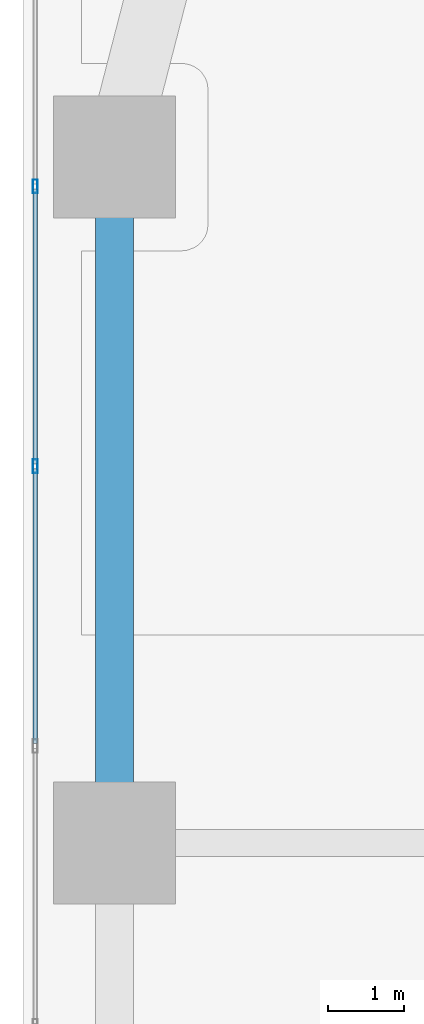
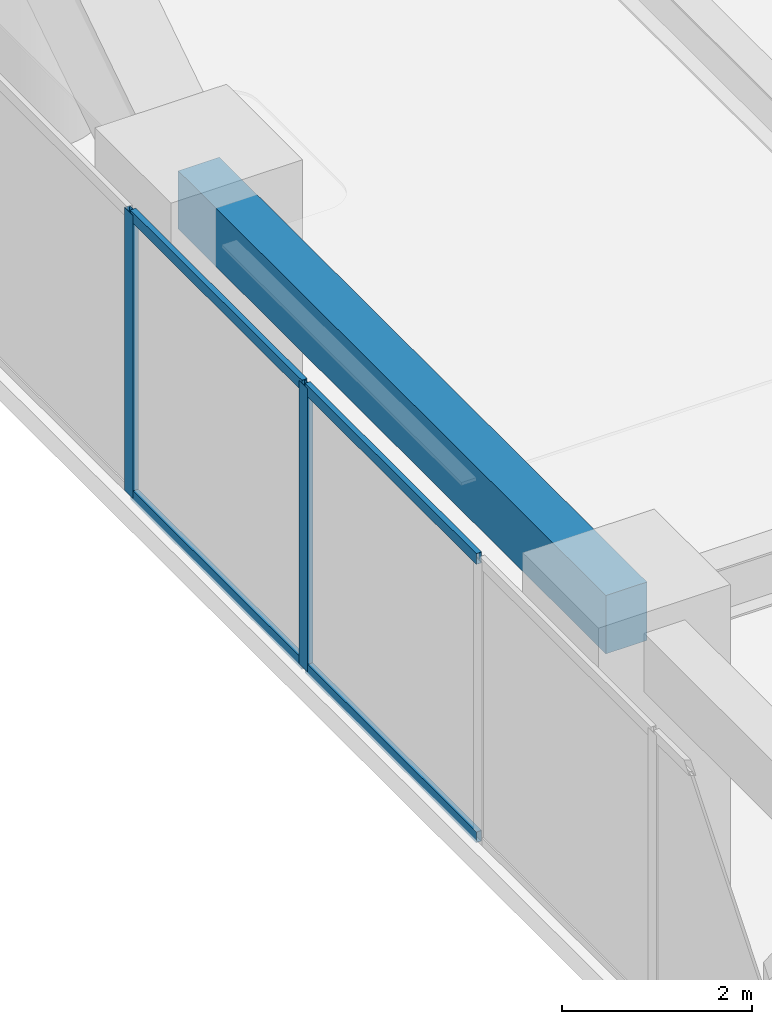
# One storey, part 12 of 28: 6 members, 1 beam, 1 element without a shape of its own.
"""IFC4 building model written with IfcOpenShell, lengths in metres."""

from ifc_helpers import new_model, si_unit, direction, frame, origin, origin_2d, place, context, subcontext, project, spatial, rectangle, hollow_rectangle, extrude, material, layer, layer_set, material_profile, profile_set, type_object, element, aggregate, save


model = new_model("IFC4")

# Units and contexts
model_context = context("Model", 3, precision=1e-05, world=origin(), true_north=direction((0.0, 1.0)))
body_context = subcontext(model_context, "Body", "Model", "MODEL_VIEW")
ifc_project = project(units=[si_unit("LENGTHUNIT", "METRE"), si_unit("AREAUNIT", "SQUARE_METRE"), si_unit("VOLUMEUNIT", "CUBIC_METRE"), si_unit("PLANEANGLEUNIT", "RADIAN"), si_unit("MASSUNIT", "GRAM", prefix="KILO")], contexts=[model_context])

# Site, building, storey
site_placement = place(None, origin())
site = spatial("IfcSite", under=ifc_project, at=site_placement, CompositionType="ELEMENT")
building_placement = place(site_placement, origin())
building = spatial("IfcBuilding", under=site, at=building_placement, Name="Kiyonajd Concourse Tower", CompositionType="ELEMENT")
storey_placement = place(building_placement, frame((0.0, 0.0, 41.10009765625)))
storey = spatial("IfcBuildingStorey", under=building, at=storey_placement, Name="L11", CompositionType="ELEMENT", Elevation=41.10009765625)

# Beam
ifc_material_1 = material(Name="Precast concrete C50/60", Category="concrete")
ifc_material_profile_1 = material_profile(ifc_material_1, rectangle(XDim=0.5, YDim=0.75, at=origin_2d()), Name="RCBM-500x750")
ifc_profile_set_1 = profile_set([ifc_material_profile_1], Name="Precast concrete C50/60")
beam_type = type_object("IfcBeamType", Name="BM-SPAN-RC", PredefinedType="SPANDREL", material=ifc_profile_set_1)
beam_placement = place(storey_placement, frame((19.199951171875, 53.39990234375, 3.264892578125), z_axis=(0.0, -1.0, 0.0), x_axis=(1.0, 0.0, 0.0)))
element("IfcBeam", 1, at=beam_placement, inside=storey, type_object=beam_type, Name="L11 Perimeter Bundled Tube Spandrel", PredefinedType="SPANDREL", context=body_context, shape_type="SweptSolid", body=[
    extrude(rectangle(XDim=0.5, YDim=0.75, at=origin_2d()), origin(), (0.0, 0.0, 1.0), 9.0),
])

# Curtain wall, members
ifc_material_2 = material(Name="Thermally Broken Anodised Aluminium", Category="aluminium")
ifc_layer = layer(ifc_material_2, 0.179931640625)
ifc_layer_set = layer_set([ifc_layer], Name="Thermally Broken Anodised Aluminium")
curtain_wall_type = type_object("IfcCurtainWallType", Name="CW-SYS-02", PredefinedType="NOTDEFINED", material=ifc_layer_set)
curtain_wall_placement = place(storey_placement, origin())
curtain_wall = element("IfcCurtainWall", 2, at=curtain_wall_placement, inside=storey, type_object=curtain_wall_type, Name="L11 Unitised Curtain Wall CW2", PredefinedType="NOTDEFINED")
ifc_material_profile_2 = material_profile(ifc_material_2, hollow_rectangle(XDim=0.06494140625, YDim=0.179931640625, WallThickness=0.00390625, at=origin_2d()), Name="MULL-65x180")
ifc_profile_set_2 = profile_set([ifc_material_profile_2], Name="Thermally Broken Anodised Aluminium")
member_type_1 = type_object("IfcMemberType", Name="MB-CW-MULL1", PredefinedType="MULLION", material=ifc_profile_set_2)
member_1_placement = place(storey_placement, frame((18.159912109375, 49.342529296875, 0.0), z_axis=(0.0, 0.0, 1.0), x_axis=(-1.0, 0.0, 0.0)))
member_1 = element("IfcMember", 3, at=member_1_placement, type_object=member_type_1, Name="CW2 mullion 5", PredefinedType="MULLION", context=body_context, shape_type="SweptSolid", body=[
    extrude(hollow_rectangle(XDim=0.06494140625, YDim=0.179931640625, WallThickness=0.00390625, at=origin_2d()), origin(), (0.0, 0.0, 1.0), 3.639892578125),
])
member_2_placement = place(storey_placement, frame((18.159912109375, 53.015869140625, 0.0), z_axis=(0.0, 0.0, 1.0), x_axis=(-1.0, 0.0, 0.0)))
member_2 = element("IfcMember", 4, at=member_2_placement, type_object=member_type_1, Name="CW2 mullion 6", PredefinedType="MULLION", context=body_context, shape_type="SweptSolid", body=[
    extrude(hollow_rectangle(XDim=0.06494140625, YDim=0.179931640625, WallThickness=0.00390625, at=origin_2d()), origin(), (0.0, 0.0, 1.0), 3.639892578125),
])
ifc_material_profile_3 = material_profile(ifc_material_2, hollow_rectangle(XDim=0.06494140625, YDim=0.139892578125, WallThickness=0.00390625, at=origin_2d()), Name="TRAN-65x140")
ifc_profile_set_3 = profile_set([ifc_material_profile_3], Name="Thermally Broken Anodised Aluminium")
member_type_2 = type_object("IfcMemberType", Name="MB-CW-TRAN1", PredefinedType="USERDEFINED", material=ifc_profile_set_3)
member_3_placement = place(storey_placement, frame((18.159912109375, 45.701904296875, 0.032470703125), z_axis=(0.0, 1.0, 0.0), x_axis=(-1.0, 0.0, 0.0)))
member_3 = element("IfcMember", 5, at=member_3_placement, type_object=member_type_2, Name="CW2 transom 4.1", ObjectType="TRANSOM", PredefinedType="USERDEFINED", context=body_context, shape_type="SweptSolid", body=[
    extrude(hollow_rectangle(XDim=0.06494140625, YDim=0.139892578125, WallThickness=0.00390625, at=origin_2d()), origin(), (0.0, 0.0, 1.0), 3.608154296875),
])
member_4_placement = place(storey_placement, frame((18.159912109375, 45.701904296875, 3.607421875), z_axis=(0.0, 1.0, 0.0), x_axis=(-1.0, 0.0, 0.0)))
member_4 = element("IfcMember", 6, at=member_4_placement, type_object=member_type_2, Name="CW2 transom 4.2", ObjectType="TRANSOM", PredefinedType="USERDEFINED", context=body_context, shape_type="SweptSolid", body=[
    extrude(hollow_rectangle(XDim=0.06494140625, YDim=0.139892578125, WallThickness=0.00390625, at=origin_2d()), origin(), (0.0, 0.0, 1.0), 3.608154296875),
])
member_5_placement = place(storey_placement, frame((18.159912109375, 49.375, 0.032470703125), z_axis=(0.0, 1.0, 0.0), x_axis=(-1.0, 0.0, 0.0)))
member_5 = element("IfcMember", 7, at=member_5_placement, type_object=member_type_2, Name="CW2 transom 5.1", ObjectType="TRANSOM", PredefinedType="USERDEFINED", context=body_context, shape_type="SweptSolid", body=[
    extrude(hollow_rectangle(XDim=0.06494140625, YDim=0.139892578125, WallThickness=0.00390625, at=origin_2d()), origin(), (0.0, 0.0, 1.0), 3.608154296875),
])
member_6_placement = place(storey_placement, frame((18.159912109375, 49.375, 3.607421875), z_axis=(0.0, 1.0, 0.0), x_axis=(-1.0, 0.0, 0.0)))
member_6 = element("IfcMember", 8, at=member_6_placement, type_object=member_type_2, Name="CW2 transom 5.2", ObjectType="TRANSOM", PredefinedType="USERDEFINED", context=body_context, shape_type="SweptSolid", body=[
    extrude(hollow_rectangle(XDim=0.06494140625, YDim=0.139892578125, WallThickness=0.00390625, at=origin_2d()), origin(), (0.0, 0.0, 1.0), 3.608154296875),
])
aggregate(curtain_wall, [member_1, member_2, member_3, member_4, member_5, member_6])

save(model, "model.ifc")
